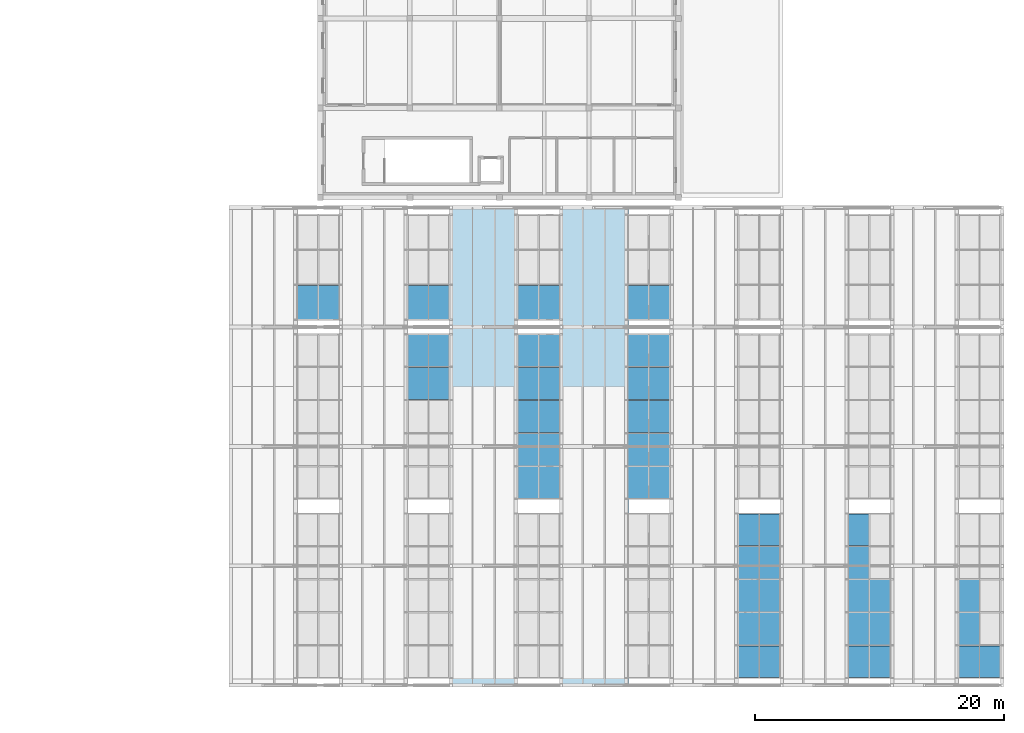
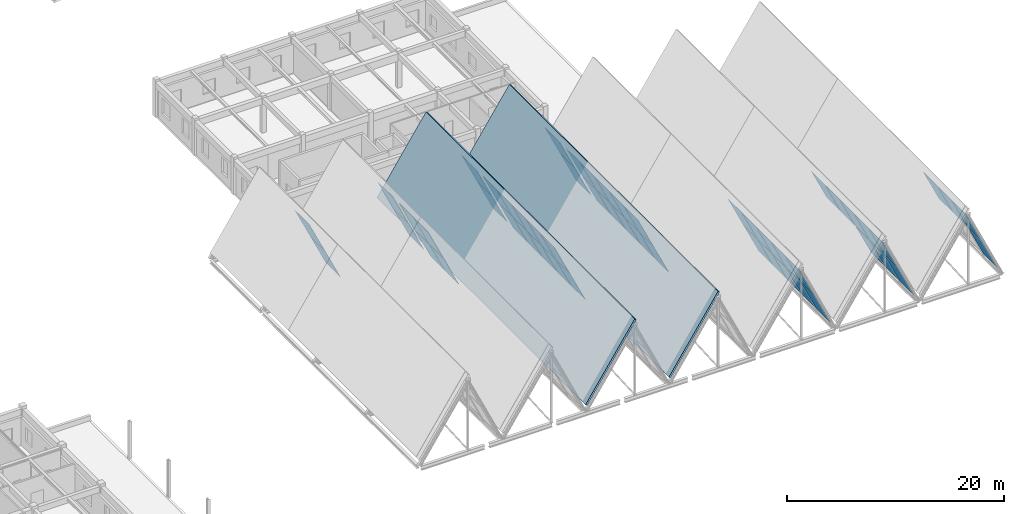
# One storey, part 70 of 99: 54 plates, 2 slabs, 10 elements without a shape of their own.
"""IFC4 building model written with IfcOpenShell, lengths in metres."""

from ifc_helpers import new_model, si_unit, direction, frame, origin, place, context, subcontext, project, spatial, polyline, outline, extrude, material, layer, layer_set, type_object, element, aggregate, save


model = new_model("IFC4")

# Units and contexts
model_context = context("Model", 3, precision=1e-05, world=origin(), true_north=direction((0.0, 1.0)))
body_context = subcontext(model_context, "Body", "Model", "MODEL_VIEW")
ifc_project = project(units=[si_unit("LENGTHUNIT", "METRE"), si_unit("AREAUNIT", "SQUARE_METRE"), si_unit("VOLUMEUNIT", "CUBIC_METRE"), si_unit("PLANEANGLEUNIT", "RADIAN"), si_unit("MASSUNIT", "GRAM", prefix="KILO")], contexts=[model_context])

# Site, building, storey
site_placement = place(None, origin())
site = spatial("IfcSite", under=ifc_project, at=site_placement, CompositionType="ELEMENT")
building_placement = place(site_placement, origin())
building = spatial("IfcBuilding", under=site, at=building_placement, Name="Bramveld Media Centre", CompositionType="ELEMENT")
storey_placement = place(building_placement, frame((0.0, 0.0, 13.800048828125)))
storey = spatial("IfcBuildingStorey", under=building, at=storey_placement, Name="L03", CompositionType="ELEMENT", Elevation=13.800048828125)

# Curtain wall, plates
ifc_material_1 = material(Name="Thermally broken anodized bronze aluminium unitized curtain wall with solar-control triple glazing", Category="aluminium")
curtain_wall_type_1 = type_object("IfcCurtainWallType", Name="CW-SAW-8500x8606", PredefinedType="NOTDEFINED", material=ifc_material_1)
curtain_wall_1_placement = place(storey_placement, origin())
curtain_wall_1 = element("IfcCurtainWall", 1, at=curtain_wall_1_placement, inside=storey, type_object=curtain_wall_type_1, Name="V1 sawtooth north-light clerestory B1-S3", PredefinedType="NOTDEFINED")
ifc_material_2 = material(Name="Solar-control triple insulating safety glass unit", Category="glass")
ifc_layer_1 = layer(ifc_material_2, 0.028076171875)
ifc_layer_set_1 = layer_set([ifc_layer_1], Name="Solar-control triple insulating safety glass unit")
plate_type = type_object("IfcPlateType", Name="CW-PAN-SLP", PredefinedType="CURTAIN_PANEL", material=ifc_layer_set_1)
plate_1_placement = place(storey_placement, frame((132.69677734375, 29.419921875, 0.322509765625), z_axis=(0.9056675867, 0.0, 0.423988469657), x_axis=(0.0, 1.0, 0.0)))
plate_1 = element("IfcPlate", 2, at=plate_1_placement, type_object=plate_type, Name="CW-SA-8586 glass panel 1.1", PredefinedType="CURTAIN_PANEL", context=body_context, shape_type="SweptSolid", body=[
    extrude(outline(polyline([(0.0, 0.0), (2.728271484375, 0.0), (2.728271484375, 3.8764136412276113), (0.0, 3.8764136412276113), (0.0, 0.0)])), origin(), (0.0, 0.0, -1.0), 0.028076171875),
])
plate_2_placement = place(storey_placement, frame((131.023681640625, 29.419921875, 3.896728515625), z_axis=(0.9056675867, 0.0, 0.423988469657), x_axis=(0.0, 1.0, 0.0)))
plate_2 = element("IfcPlate", 3, at=plate_2_placement, type_object=plate_type, Name="CW-SA-8586 glass panel 1.2", PredefinedType="CURTAIN_PANEL", context=body_context, shape_type="SweptSolid", body=[
    extrude(outline(polyline([(0.0, 0.0), (2.728271484375, 0.0), (2.728271484375, 3.8764136412276113), (0.0, 3.8764136412276113), (0.0, 0.0)])), origin(), (0.0, 0.0, -1.0), 0.028076171875),
])
aggregate(curtain_wall_1, [plate_1, plate_2])

ifc_material_3 = material(Name="Thermally broken anodized bronze aluminium unitized curtain wall with solar-control triple glazing", Category="aluminium")
curtain_wall_type_2 = type_object("IfcCurtainWallType", Name="CW-SAW-13300x8606", PredefinedType="NOTDEFINED", material=ifc_material_3)
curtain_wall_2_placement = place(storey_placement, origin())
curtain_wall_2 = element("IfcCurtainWall", 4, at=curtain_wall_2_placement, inside=storey, type_object=curtain_wall_type_2, Name="V1 sawtooth north-light clerestory B2-S2", PredefinedType="NOTDEFINED")
plate_3_placement = place(storey_placement, frame((141.553955078125, 22.965087890625, 0.322509765625), z_axis=(0.9056675867, 0.0, 0.423988469657), x_axis=(0.0, 1.0, 0.0)))
plate_3 = element("IfcPlate", 5, at=plate_3_placement, type_object=plate_type, Name="CW-SA-13386 glass panel 4.1", PredefinedType="CURTAIN_PANEL", context=body_context, shape_type="SweptSolid", body=[
    extrude(outline(polyline([(0.0, 0.0), (2.58984375, 0.0), (2.58984375, 3.876413641227611), (0.0, 3.876413641227611), (0.0, 0.0)])), origin(), (0.0, 0.0, -1.0), 0.028076171875),
])
plate_4_placement = place(storey_placement, frame((139.880859375, 22.965087890625, 3.896728515625), z_axis=(0.9056675867, 0.0, 0.423988469657), x_axis=(0.0, 1.0, 0.0)))
plate_4 = element("IfcPlate", 6, at=plate_4_placement, type_object=plate_type, Name="CW-SA-13386 glass panel 4.2", PredefinedType="CURTAIN_PANEL", context=body_context, shape_type="SweptSolid", body=[
    extrude(outline(polyline([(0.0, 0.0), (2.58984375, 0.0), (2.58984375, 3.876413641227611), (0.0, 3.876413641227611), (0.0, 0.0)])), origin(), (0.0, 0.0, -1.0), 0.028076171875),
])
plate_5_placement = place(storey_placement, frame((141.553955078125, 25.625, 0.322509765625), z_axis=(0.9056675867, 0.0, 0.423988469657), x_axis=(0.0, 1.0, 0.0)))
plate_5 = element("IfcPlate", 7, at=plate_5_placement, type_object=plate_type, Name="CW-SA-13386 glass panel 5.1", PredefinedType="CURTAIN_PANEL", context=body_context, shape_type="SweptSolid", body=[
    extrude(outline(polyline([(0.0, 0.0), (2.554931640625, 0.0), (2.554931640625, 3.8764136412276113), (0.0, 3.8764136412276113), (0.0, 0.0)])), origin(), (0.0, 0.0, -1.0), 0.028076171875),
])
plate_6_placement = place(storey_placement, frame((139.880859375, 25.625, 3.896728515625), z_axis=(0.9056675867, 0.0, 0.423988469657), x_axis=(0.0, 1.0, 0.0)))
plate_6 = element("IfcPlate", 8, at=plate_6_placement, type_object=plate_type, Name="CW-SA-13386 glass panel 5.2", PredefinedType="CURTAIN_PANEL", context=body_context, shape_type="SweptSolid", body=[
    extrude(outline(polyline([(0.0, 0.0), (2.554931640625, 0.0), (2.554931640625, 3.8764136412276113), (0.0, 3.8764136412276113), (0.0, 0.0)])), origin(), (0.0, 0.0, -1.0), 0.028076171875),
])
aggregate(curtain_wall_2, [plate_3, plate_4, plate_5, plate_6])

curtain_wall_3_placement = place(storey_placement, origin())
curtain_wall_3 = element("IfcCurtainWall", 9, at=curtain_wall_3_placement, inside=storey, type_object=curtain_wall_type_1, Name="V1 sawtooth north-light clerestory B2-S3", PredefinedType="NOTDEFINED")
plate_7_placement = place(storey_placement, frame((141.553955078125, 29.419921875, 0.322509765625), z_axis=(0.9056675867, 0.0, 0.423988469657), x_axis=(0.0, 1.0, 0.0)))
plate_7 = element("IfcPlate", 10, at=plate_7_placement, type_object=plate_type, Name="CW-SA-8586 glass panel 1.1", PredefinedType="CURTAIN_PANEL", context=body_context, shape_type="SweptSolid", body=[
    extrude(outline(polyline([(0.0, 0.0), (2.728271484375, 0.0), (2.728271484375, 3.8764136412276113), (0.0, 3.8764136412276113), (0.0, 0.0)])), origin(), (0.0, 0.0, -1.0), 0.028076171875),
])
plate_8_placement = place(storey_placement, frame((139.880859375, 29.419921875, 3.896728515625), z_axis=(0.9056675867, 0.0, 0.423988469657), x_axis=(0.0, 1.0, 0.0)))
plate_8 = element("IfcPlate", 11, at=plate_8_placement, type_object=plate_type, Name="CW-SA-8586 glass panel 1.2", PredefinedType="CURTAIN_PANEL", context=body_context, shape_type="SweptSolid", body=[
    extrude(outline(polyline([(0.0, 0.0), (2.728271484375, 0.0), (2.728271484375, 3.8764136412276113), (0.0, 3.8764136412276113), (0.0, 0.0)])), origin(), (0.0, 0.0, -1.0), 0.028076171875),
])
aggregate(curtain_wall_3, [plate_7, plate_8])

curtain_wall_4_placement = place(storey_placement, origin())
curtain_wall_4 = element("IfcCurtainWall", 12, at=curtain_wall_4_placement, inside=storey, type_object=curtain_wall_type_2, Name="V1 sawtooth north-light clerestory B3-S2", PredefinedType="NOTDEFINED")
plate_9_placement = place(storey_placement, frame((150.4111328125, 15.02001953125, 0.322509765625), z_axis=(0.9056675867, 0.0, 0.423988469657), x_axis=(0.0, 1.0, 0.0)))
plate_9 = element("IfcPlate", 13, at=plate_9_placement, type_object=plate_type, Name="CW-SA-13386 glass panel 1.1", PredefinedType="CURTAIN_PANEL", context=body_context, shape_type="SweptSolid", body=[
    extrude(outline(polyline([(0.0, 0.0), (2.554931640625, 0.0), (2.554931640625, 3.8764136412276113), (0.0, 3.8764136412276113), (0.0, 0.0)])), origin(), (0.0, 0.0, -1.0), 0.028076171875),
])
plate_10_placement = place(storey_placement, frame((148.738037109375, 15.02001953125, 3.896728515625), z_axis=(0.9056675867, 0.0, 0.423988469657), x_axis=(0.0, 1.0, 0.0)))
plate_10 = element("IfcPlate", 14, at=plate_10_placement, type_object=plate_type, Name="CW-SA-13386 glass panel 1.2", PredefinedType="CURTAIN_PANEL", context=body_context, shape_type="SweptSolid", body=[
    extrude(outline(polyline([(0.0, 0.0), (2.554931640625, 0.0), (2.554931640625, 3.8764136412276113), (0.0, 3.8764136412276113), (0.0, 0.0)])), origin(), (0.0, 0.0, -1.0), 0.028076171875),
])
plate_11_placement = place(storey_placement, frame((150.4111328125, 17.64501953125, 0.322509765625), z_axis=(0.9056675867, 0.0, 0.423988469657), x_axis=(0.0, 1.0, 0.0)))
plate_11 = element("IfcPlate", 15, at=plate_11_placement, type_object=plate_type, Name="CW-SA-13386 glass panel 2.1", PredefinedType="CURTAIN_PANEL", context=body_context, shape_type="SweptSolid", body=[
    extrude(outline(polyline([(0.0, 0.0), (2.590087890625, 0.0), (2.590087890625, 3.876413641227611), (0.0, 3.876413641227611), (0.0, 0.0)])), origin(), (0.0, 0.0, -1.0), 0.028076171875),
])
plate_12_placement = place(storey_placement, frame((148.738037109375, 17.64501953125, 3.896728515625), z_axis=(0.9056675867, 0.0, 0.423988469657), x_axis=(0.0, 1.0, 0.0)))
plate_12 = element("IfcPlate", 16, at=plate_12_placement, type_object=plate_type, Name="CW-SA-13386 glass panel 2.2", PredefinedType="CURTAIN_PANEL", context=body_context, shape_type="SweptSolid", body=[
    extrude(outline(polyline([(0.0, 0.0), (2.590087890625, 0.0), (2.590087890625, 3.876413641227611), (0.0, 3.876413641227611), (0.0, 0.0)])), origin(), (0.0, 0.0, -1.0), 0.028076171875),
])
plate_13_placement = place(storey_placement, frame((150.4111328125, 20.304931640625, 0.322509765625), z_axis=(0.9056675867, 0.0, 0.423988469657), x_axis=(0.0, 1.0, 0.0)))
plate_13 = element("IfcPlate", 17, at=plate_13_placement, type_object=plate_type, Name="CW-SA-13386 glass panel 3.1", PredefinedType="CURTAIN_PANEL", context=body_context, shape_type="SweptSolid", body=[
    extrude(outline(polyline([(0.0, 0.0), (2.590087890625, 0.0), (2.590087890625, 3.876413641227611), (0.0, 3.876413641227611), (0.0, 0.0)])), origin(), (0.0, 0.0, -1.0), 0.028076171875),
])
plate_14_placement = place(storey_placement, frame((148.738037109375, 20.304931640625, 3.896728515625), z_axis=(0.9056675867, 0.0, 0.423988469657), x_axis=(0.0, 1.0, 0.0)))
plate_14 = element("IfcPlate", 18, at=plate_14_placement, type_object=plate_type, Name="CW-SA-13386 glass panel 3.2", PredefinedType="CURTAIN_PANEL", context=body_context, shape_type="SweptSolid", body=[
    extrude(outline(polyline([(0.0, 0.0), (2.590087890625, 0.0), (2.590087890625, 3.876413641227611), (0.0, 3.876413641227611), (0.0, 0.0)])), origin(), (0.0, 0.0, -1.0), 0.028076171875),
])
plate_15_placement = place(storey_placement, frame((150.4111328125, 22.965087890625, 0.322509765625), z_axis=(0.9056675867, 0.0, 0.423988469657), x_axis=(0.0, 1.0, 0.0)))
plate_15 = element("IfcPlate", 19, at=plate_15_placement, type_object=plate_type, Name="CW-SA-13386 glass panel 4.1", PredefinedType="CURTAIN_PANEL", context=body_context, shape_type="SweptSolid", body=[
    extrude(outline(polyline([(0.0, 0.0), (2.58984375, 0.0), (2.58984375, 3.876413641227611), (0.0, 3.876413641227611), (0.0, 0.0)])), origin(), (0.0, 0.0, -1.0), 0.028076171875),
])
plate_16_placement = place(storey_placement, frame((148.738037109375, 22.965087890625, 3.896728515625), z_axis=(0.9056675867, 0.0, 0.423988469657), x_axis=(0.0, 1.0, 0.0)))
plate_16 = element("IfcPlate", 20, at=plate_16_placement, type_object=plate_type, Name="CW-SA-13386 glass panel 4.2", PredefinedType="CURTAIN_PANEL", context=body_context, shape_type="SweptSolid", body=[
    extrude(outline(polyline([(0.0, 0.0), (2.58984375, 0.0), (2.58984375, 3.876413641227611), (0.0, 3.876413641227611), (0.0, 0.0)])), origin(), (0.0, 0.0, -1.0), 0.028076171875),
])
plate_17_placement = place(storey_placement, frame((150.4111328125, 25.625, 0.322509765625), z_axis=(0.9056675867, 0.0, 0.423988469657), x_axis=(0.0, 1.0, 0.0)))
plate_17 = element("IfcPlate", 21, at=plate_17_placement, type_object=plate_type, Name="CW-SA-13386 glass panel 5.1", PredefinedType="CURTAIN_PANEL", context=body_context, shape_type="SweptSolid", body=[
    extrude(outline(polyline([(0.0, 0.0), (2.554931640625, 0.0), (2.554931640625, 3.8764136412276113), (0.0, 3.8764136412276113), (0.0, 0.0)])), origin(), (0.0, 0.0, -1.0), 0.028076171875),
])
plate_18_placement = place(storey_placement, frame((148.738037109375, 25.625, 3.896728515625), z_axis=(0.9056675867, 0.0, 0.423988469657), x_axis=(0.0, 1.0, 0.0)))
plate_18 = element("IfcPlate", 22, at=plate_18_placement, type_object=plate_type, Name="CW-SA-13386 glass panel 5.2", PredefinedType="CURTAIN_PANEL", context=body_context, shape_type="SweptSolid", body=[
    extrude(outline(polyline([(0.0, 0.0), (2.554931640625, 0.0), (2.554931640625, 3.8764136412276113), (0.0, 3.8764136412276113), (0.0, 0.0)])), origin(), (0.0, 0.0, -1.0), 0.028076171875),
])
aggregate(curtain_wall_4, [plate_9, plate_10, plate_11, plate_12, plate_13, plate_14, plate_15, plate_16, plate_17, plate_18])

curtain_wall_5_placement = place(storey_placement, origin())
curtain_wall_5 = element("IfcCurtainWall", 23, at=curtain_wall_5_placement, inside=storey, type_object=curtain_wall_type_1, Name="V1 sawtooth north-light clerestory B3-S3", PredefinedType="NOTDEFINED")
plate_19_placement = place(storey_placement, frame((150.4111328125, 29.419921875, 0.322509765625), z_axis=(0.9056675867, 0.0, 0.423988469657), x_axis=(0.0, 1.0, 0.0)))
plate_19 = element("IfcPlate", 24, at=plate_19_placement, type_object=plate_type, Name="CW-SA-8586 glass panel 1.1", PredefinedType="CURTAIN_PANEL", context=body_context, shape_type="SweptSolid", body=[
    extrude(outline(polyline([(0.0, 0.0), (2.728271484375, 0.0), (2.728271484375, 3.8764136412276113), (0.0, 3.8764136412276113), (0.0, 0.0)])), origin(), (0.0, 0.0, -1.0), 0.028076171875),
])
plate_20_placement = place(storey_placement, frame((148.738037109375, 29.419921875, 3.896728515625), z_axis=(0.9056675867, 0.0, 0.423988469657), x_axis=(0.0, 1.0, 0.0)))
plate_20 = element("IfcPlate", 25, at=plate_20_placement, type_object=plate_type, Name="CW-SA-8586 glass panel 1.2", PredefinedType="CURTAIN_PANEL", context=body_context, shape_type="SweptSolid", body=[
    extrude(outline(polyline([(0.0, 0.0), (2.728271484375, 0.0), (2.728271484375, 3.8764136412276113), (0.0, 3.8764136412276113), (0.0, 0.0)])), origin(), (0.0, 0.0, -1.0), 0.028076171875),
])
aggregate(curtain_wall_5, [plate_19, plate_20])

curtain_wall_6_placement = place(storey_placement, origin())
curtain_wall_6 = element("IfcCurtainWall", 26, at=curtain_wall_6_placement, inside=storey, type_object=curtain_wall_type_2, Name="V1 sawtooth north-light clerestory B4-S2", PredefinedType="NOTDEFINED")
plate_21_placement = place(storey_placement, frame((159.268310546875, 15.02001953125, 0.322509765625), z_axis=(0.9056675867, 0.0, 0.423988469657), x_axis=(0.0, 1.0, 0.0)))
plate_21 = element("IfcPlate", 27, at=plate_21_placement, type_object=plate_type, Name="CW-SA-13386 glass panel 1.1", PredefinedType="CURTAIN_PANEL", context=body_context, shape_type="SweptSolid", body=[
    extrude(outline(polyline([(0.0, 0.0), (2.554931640625, 0.0), (2.554931640625, 3.8764136412276113), (0.0, 3.8764136412276113), (0.0, 0.0)])), origin(), (0.0, 0.0, -1.0), 0.028076171875),
])
plate_22_placement = place(storey_placement, frame((157.59521484375, 15.02001953125, 3.896728515625), z_axis=(0.9056675867, 0.0, 0.423988469657), x_axis=(0.0, 1.0, 0.0)))
plate_22 = element("IfcPlate", 28, at=plate_22_placement, type_object=plate_type, Name="CW-SA-13386 glass panel 1.2", PredefinedType="CURTAIN_PANEL", context=body_context, shape_type="SweptSolid", body=[
    extrude(outline(polyline([(0.0, 0.0), (2.554931640625, 0.0), (2.554931640625, 3.8764136412276113), (0.0, 3.8764136412276113), (0.0, 0.0)])), origin(), (0.0, 0.0, -1.0), 0.028076171875),
])
plate_23_placement = place(storey_placement, frame((159.268310546875, 17.64501953125, 0.322509765625), z_axis=(0.9056675867, 0.0, 0.423988469657), x_axis=(0.0, 1.0, 0.0)))
plate_23 = element("IfcPlate", 29, at=plate_23_placement, type_object=plate_type, Name="CW-SA-13386 glass panel 2.1", PredefinedType="CURTAIN_PANEL", context=body_context, shape_type="SweptSolid", body=[
    extrude(outline(polyline([(0.0, 0.0), (2.590087890625, 0.0), (2.590087890625, 3.876413641227611), (0.0, 3.876413641227611), (0.0, 0.0)])), origin(), (0.0, 0.0, -1.0), 0.028076171875),
])
plate_24_placement = place(storey_placement, frame((157.59521484375, 17.64501953125, 3.896728515625), z_axis=(0.9056675867, 0.0, 0.423988469657), x_axis=(0.0, 1.0, 0.0)))
plate_24 = element("IfcPlate", 30, at=plate_24_placement, type_object=plate_type, Name="CW-SA-13386 glass panel 2.2", PredefinedType="CURTAIN_PANEL", context=body_context, shape_type="SweptSolid", body=[
    extrude(outline(polyline([(0.0, 0.0), (2.590087890625, 0.0), (2.590087890625, 3.876413641227611), (0.0, 3.876413641227611), (0.0, 0.0)])), origin(), (0.0, 0.0, -1.0), 0.028076171875),
])
plate_25_placement = place(storey_placement, frame((159.268310546875, 20.304931640625, 0.322509765625), z_axis=(0.9056675867, 0.0, 0.423988469657), x_axis=(0.0, 1.0, 0.0)))
plate_25 = element("IfcPlate", 31, at=plate_25_placement, type_object=plate_type, Name="CW-SA-13386 glass panel 3.1", PredefinedType="CURTAIN_PANEL", context=body_context, shape_type="SweptSolid", body=[
    extrude(outline(polyline([(0.0, 0.0), (2.590087890625, 0.0), (2.590087890625, 3.876413641227611), (0.0, 3.876413641227611), (0.0, 0.0)])), origin(), (0.0, 0.0, -1.0), 0.028076171875),
])
plate_26_placement = place(storey_placement, frame((157.59521484375, 20.304931640625, 3.896728515625), z_axis=(0.9056675867, 0.0, 0.423988469657), x_axis=(0.0, 1.0, 0.0)))
plate_26 = element("IfcPlate", 32, at=plate_26_placement, type_object=plate_type, Name="CW-SA-13386 glass panel 3.2", PredefinedType="CURTAIN_PANEL", context=body_context, shape_type="SweptSolid", body=[
    extrude(outline(polyline([(0.0, 0.0), (2.590087890625, 0.0), (2.590087890625, 3.876413641227611), (0.0, 3.876413641227611), (0.0, 0.0)])), origin(), (0.0, 0.0, -1.0), 0.028076171875),
])
plate_27_placement = place(storey_placement, frame((159.268310546875, 22.965087890625, 0.322509765625), z_axis=(0.9056675867, 0.0, 0.423988469657), x_axis=(0.0, 1.0, 0.0)))
plate_27 = element("IfcPlate", 33, at=plate_27_placement, type_object=plate_type, Name="CW-SA-13386 glass panel 4.1", PredefinedType="CURTAIN_PANEL", context=body_context, shape_type="SweptSolid", body=[
    extrude(outline(polyline([(0.0, 0.0), (2.58984375, 0.0), (2.58984375, 3.876413641227611), (0.0, 3.876413641227611), (0.0, 0.0)])), origin(), (0.0, 0.0, -1.0), 0.028076171875),
])
plate_28_placement = place(storey_placement, frame((157.59521484375, 22.965087890625, 3.896728515625), z_axis=(0.9056675867, 0.0, 0.423988469657), x_axis=(0.0, 1.0, 0.0)))
plate_28 = element("IfcPlate", 34, at=plate_28_placement, type_object=plate_type, Name="CW-SA-13386 glass panel 4.2", PredefinedType="CURTAIN_PANEL", context=body_context, shape_type="SweptSolid", body=[
    extrude(outline(polyline([(0.0, 0.0), (2.58984375, 0.0), (2.58984375, 3.876413641227611), (0.0, 3.876413641227611), (0.0, 0.0)])), origin(), (0.0, 0.0, -1.0), 0.028076171875),
])
plate_29_placement = place(storey_placement, frame((159.268310546875, 25.625, 0.322509765625), z_axis=(0.9056675867, 0.0, 0.423988469657), x_axis=(0.0, 1.0, 0.0)))
plate_29 = element("IfcPlate", 35, at=plate_29_placement, type_object=plate_type, Name="CW-SA-13386 glass panel 5.1", PredefinedType="CURTAIN_PANEL", context=body_context, shape_type="SweptSolid", body=[
    extrude(outline(polyline([(0.0, 0.0), (2.554931640625, 0.0), (2.554931640625, 3.8764136412276113), (0.0, 3.8764136412276113), (0.0, 0.0)])), origin(), (0.0, 0.0, -1.0), 0.028076171875),
])
plate_30_placement = place(storey_placement, frame((157.59521484375, 25.625, 3.896728515625), z_axis=(0.9056675867, 0.0, 0.423988469657), x_axis=(0.0, 1.0, 0.0)))
plate_30 = element("IfcPlate", 36, at=plate_30_placement, type_object=plate_type, Name="CW-SA-13386 glass panel 5.2", PredefinedType="CURTAIN_PANEL", context=body_context, shape_type="SweptSolid", body=[
    extrude(outline(polyline([(0.0, 0.0), (2.554931640625, 0.0), (2.554931640625, 3.8764136412276113), (0.0, 3.8764136412276113), (0.0, 0.0)])), origin(), (0.0, 0.0, -1.0), 0.028076171875),
])
aggregate(curtain_wall_6, [plate_21, plate_22, plate_23, plate_24, plate_25, plate_26, plate_27, plate_28, plate_29, plate_30])

curtain_wall_7_placement = place(storey_placement, origin())
curtain_wall_7 = element("IfcCurtainWall", 37, at=curtain_wall_7_placement, inside=storey, type_object=curtain_wall_type_1, Name="V1 sawtooth north-light clerestory B4-S3", PredefinedType="NOTDEFINED")
plate_31_placement = place(storey_placement, frame((159.268310546875, 29.419921875, 0.322509765625), z_axis=(0.9056675867, 0.0, 0.423988469657), x_axis=(0.0, 1.0, 0.0)))
plate_31 = element("IfcPlate", 38, at=plate_31_placement, type_object=plate_type, Name="CW-SA-8586 glass panel 1.1", PredefinedType="CURTAIN_PANEL", context=body_context, shape_type="SweptSolid", body=[
    extrude(outline(polyline([(0.0, 0.0), (2.728271484375, 0.0), (2.728271484375, 3.8764136412276113), (0.0, 3.8764136412276113), (0.0, 0.0)])), origin(), (0.0, 0.0, -1.0), 0.028076171875),
])
plate_32_placement = place(storey_placement, frame((157.59521484375, 29.419921875, 3.896728515625), z_axis=(0.9056675867, 0.0, 0.423988469657), x_axis=(0.0, 1.0, 0.0)))
plate_32 = element("IfcPlate", 39, at=plate_32_placement, type_object=plate_type, Name="CW-SA-8586 glass panel 1.2", PredefinedType="CURTAIN_PANEL", context=body_context, shape_type="SweptSolid", body=[
    extrude(outline(polyline([(0.0, 0.0), (2.728271484375, 0.0), (2.728271484375, 3.8764136412276113), (0.0, 3.8764136412276113), (0.0, 0.0)])), origin(), (0.0, 0.0, -1.0), 0.028076171875),
])
aggregate(curtain_wall_7, [plate_31, plate_32])

curtain_wall_8_placement = place(storey_placement, origin())
curtain_wall_8 = element("IfcCurtainWall", 40, at=curtain_wall_8_placement, inside=storey, type_object=curtain_wall_type_2, Name="V1 sawtooth north-light clerestory B5-S1", PredefinedType="NOTDEFINED")
plate_33_placement = place(storey_placement, frame((168.12548828125, 0.6201171875, 0.322509765625), z_axis=(0.9056675867, 0.0, 0.423988469657), x_axis=(0.0, 1.0, 0.0)))
plate_33 = element("IfcPlate", 41, at=plate_33_placement, type_object=plate_type, Name="CW-SA-13386 glass panel 1.1", PredefinedType="CURTAIN_PANEL", context=body_context, shape_type="SweptSolid", body=[
    extrude(outline(polyline([(0.0, 0.0), (2.554931640625, 0.0), (2.554931640625, 3.8764136412276113), (0.0, 3.8764136412276113), (0.0, 0.0)])), origin(), (0.0, 0.0, -1.0), 0.028076171875),
])
plate_34_placement = place(storey_placement, frame((166.452392578125, 0.6201171875, 3.896728515625), z_axis=(0.9056675867, 0.0, 0.423988469657), x_axis=(0.0, 1.0, 0.0)))
plate_34 = element("IfcPlate", 42, at=plate_34_placement, type_object=plate_type, Name="CW-SA-13386 glass panel 1.2", PredefinedType="CURTAIN_PANEL", context=body_context, shape_type="SweptSolid", body=[
    extrude(outline(polyline([(0.0, 0.0), (2.554931640625, 0.0), (2.554931640625, 3.8764136412276113), (0.0, 3.8764136412276113), (0.0, 0.0)])), origin(), (0.0, 0.0, -1.0), 0.028076171875),
])
plate_35_placement = place(storey_placement, frame((168.12548828125, 3.2451171875, 0.322509765625), z_axis=(0.9056675867, 0.0, 0.423988469657), x_axis=(0.0, 1.0, 0.0)))
plate_35 = element("IfcPlate", 43, at=plate_35_placement, type_object=plate_type, Name="CW-SA-13386 glass panel 2.1", PredefinedType="CURTAIN_PANEL", context=body_context, shape_type="SweptSolid", body=[
    extrude(outline(polyline([(0.0, 0.0), (2.58984375, 0.0), (2.58984375, 3.876413641227611), (0.0, 3.876413641227611), (0.0, 0.0)])), origin(), (0.0, 0.0, -1.0), 0.028076171875),
])
plate_36_placement = place(storey_placement, frame((166.452392578125, 3.2451171875, 3.896728515625), z_axis=(0.9056675867, 0.0, 0.423988469657), x_axis=(0.0, 1.0, 0.0)))
plate_36 = element("IfcPlate", 44, at=plate_36_placement, type_object=plate_type, Name="CW-SA-13386 glass panel 2.2", PredefinedType="CURTAIN_PANEL", context=body_context, shape_type="SweptSolid", body=[
    extrude(outline(polyline([(0.0, 0.0), (2.58984375, 0.0), (2.58984375, 3.876413641227611), (0.0, 3.876413641227611), (0.0, 0.0)])), origin(), (0.0, 0.0, -1.0), 0.028076171875),
])
plate_37_placement = place(storey_placement, frame((168.12548828125, 5.905029296875, 0.322509765625), z_axis=(0.9056675867, 0.0, 0.423988469657), x_axis=(0.0, 1.0, 0.0)))
plate_37 = element("IfcPlate", 45, at=plate_37_placement, type_object=plate_type, Name="CW-SA-13386 glass panel 3.1", PredefinedType="CURTAIN_PANEL", context=body_context, shape_type="SweptSolid", body=[
    extrude(outline(polyline([(0.0, 0.0), (2.590087890625, 0.0), (2.590087890625, 3.876413641227611), (0.0, 3.876413641227611), (0.0, 0.0)])), origin(), (0.0, 0.0, -1.0), 0.028076171875),
])
plate_38_placement = place(storey_placement, frame((166.452392578125, 5.905029296875, 3.896728515625), z_axis=(0.9056675867, 0.0, 0.423988469657), x_axis=(0.0, 1.0, 0.0)))
plate_38 = element("IfcPlate", 46, at=plate_38_placement, type_object=plate_type, Name="CW-SA-13386 glass panel 3.2", PredefinedType="CURTAIN_PANEL", context=body_context, shape_type="SweptSolid", body=[
    extrude(outline(polyline([(0.0, 0.0), (2.590087890625, 0.0), (2.590087890625, 3.876413641227611), (0.0, 3.876413641227611), (0.0, 0.0)])), origin(), (0.0, 0.0, -1.0), 0.028076171875),
])
plate_39_placement = place(storey_placement, frame((168.12548828125, 8.56494140625, 0.322509765625), z_axis=(0.9056675867, 0.0, 0.423988469657), x_axis=(0.0, 1.0, 0.0)))
plate_39 = element("IfcPlate", 47, at=plate_39_placement, type_object=plate_type, Name="CW-SA-13386 glass panel 4.1", PredefinedType="CURTAIN_PANEL", context=body_context, shape_type="SweptSolid", body=[
    extrude(outline(polyline([(0.0, 0.0), (2.590087890625, 0.0), (2.590087890625, 3.876413641227611), (0.0, 3.876413641227611), (0.0, 0.0)])), origin(), (0.0, 0.0, -1.0), 0.028076171875),
])
plate_40_placement = place(storey_placement, frame((166.452392578125, 8.56494140625, 3.896728515625), z_axis=(0.9056675867, 0.0, 0.423988469657), x_axis=(0.0, 1.0, 0.0)))
plate_40 = element("IfcPlate", 48, at=plate_40_placement, type_object=plate_type, Name="CW-SA-13386 glass panel 4.2", PredefinedType="CURTAIN_PANEL", context=body_context, shape_type="SweptSolid", body=[
    extrude(outline(polyline([(0.0, 0.0), (2.590087890625, 0.0), (2.590087890625, 3.876413641227611), (0.0, 3.876413641227611), (0.0, 0.0)])), origin(), (0.0, 0.0, -1.0), 0.028076171875),
])
plate_41_placement = place(storey_placement, frame((168.12548828125, 11.22509765625, 0.322509765625), z_axis=(0.9056675867, 0.0, 0.423988469657), x_axis=(0.0, 1.0, 0.0)))
plate_41 = element("IfcPlate", 49, at=plate_41_placement, type_object=plate_type, Name="CW-SA-13386 glass panel 5.1", PredefinedType="CURTAIN_PANEL", context=body_context, shape_type="SweptSolid", body=[
    extrude(outline(polyline([(0.0, 0.0), (2.554931640625, 0.0), (2.554931640625, 3.8764136412276113), (0.0, 3.8764136412276113), (0.0, 0.0)])), origin(), (0.0, 0.0, -1.0), 0.028076171875),
])
plate_42_placement = place(storey_placement, frame((166.452392578125, 11.22509765625, 3.896728515625), z_axis=(0.9056675867, 0.0, 0.423988469657), x_axis=(0.0, 1.0, 0.0)))
plate_42 = element("IfcPlate", 50, at=plate_42_placement, type_object=plate_type, Name="CW-SA-13386 glass panel 5.2", PredefinedType="CURTAIN_PANEL", context=body_context, shape_type="SweptSolid", body=[
    extrude(outline(polyline([(0.0, 0.0), (2.554931640625, 0.0), (2.554931640625, 3.8764136412276113), (0.0, 3.8764136412276113), (0.0, 0.0)])), origin(), (0.0, 0.0, -1.0), 0.028076171875),
])
aggregate(curtain_wall_8, [plate_33, plate_34, plate_35, plate_36, plate_37, plate_38, plate_39, plate_40, plate_41, plate_42])

curtain_wall_9_placement = place(storey_placement, origin())
curtain_wall_9 = element("IfcCurtainWall", 51, at=curtain_wall_9_placement, inside=storey, type_object=curtain_wall_type_2, Name="V1 sawtooth north-light clerestory B6-S1", PredefinedType="NOTDEFINED")
plate_43_placement = place(storey_placement, frame((176.982666015625, 0.6201171875, 0.322509765625), z_axis=(0.9056675867, 0.0, 0.423988469657), x_axis=(0.0, 1.0, 0.0)))
plate_43 = element("IfcPlate", 52, at=plate_43_placement, type_object=plate_type, Name="CW-SA-13386 glass panel 1.1", PredefinedType="CURTAIN_PANEL", context=body_context, shape_type="SweptSolid", body=[
    extrude(outline(polyline([(0.0, 0.0), (2.554931640625, 0.0), (2.554931640625, 3.8764136412276113), (0.0, 3.8764136412276113), (0.0, 0.0)])), origin(), (0.0, 0.0, -1.0), 0.028076171875),
])
plate_44_placement = place(storey_placement, frame((175.309326171875, 0.6201171875, 3.896728515625), z_axis=(0.905691770132, 0.0, 0.423936808398), x_axis=(0.0, 1.0, 0.0)))
plate_44 = element("IfcPlate", 53, at=plate_44_placement, type_object=plate_type, Name="CW-SA-13386 glass panel 1.2", PredefinedType="CURTAIN_PANEL", context=body_context, shape_type="SweptSolid", body=[
    extrude(outline(polyline([(0.0, 0.0), (2.554931640625, 0.0), (2.554931640625, 3.876310134723858), (0.0, 3.876310134723858), (0.0, 0.0)])), origin(), (0.0, 0.0, -1.0), 0.028076171875),
])
plate_45_placement = place(storey_placement, frame((176.982666015625, 3.2451171875, 0.322509765625), z_axis=(0.9056675867, 0.0, 0.423988469657), x_axis=(0.0, 1.0, 0.0)))
plate_45 = element("IfcPlate", 54, at=plate_45_placement, type_object=plate_type, Name="CW-SA-13386 glass panel 2.1", PredefinedType="CURTAIN_PANEL", context=body_context, shape_type="SweptSolid", body=[
    extrude(outline(polyline([(0.0, 0.0), (2.58984375, 0.0), (2.58984375, 3.876413641227611), (0.0, 3.876413641227611), (0.0, 0.0)])), origin(), (0.0, 0.0, -1.0), 0.028076171875),
])
plate_46_placement = place(storey_placement, frame((175.309326171875, 3.2451171875, 3.896728515625), z_axis=(0.905691770132, 0.0, 0.423936808398), x_axis=(0.0, 1.0, 0.0)))
plate_46 = element("IfcPlate", 55, at=plate_46_placement, type_object=plate_type, Name="CW-SA-13386 glass panel 2.2", PredefinedType="CURTAIN_PANEL", context=body_context, shape_type="SweptSolid", body=[
    extrude(outline(polyline([(0.0, 0.0), (2.58984375, 0.0), (2.58984375, 3.876310134723858), (0.0, 3.876310134723858), (0.0, 0.0)])), origin(), (0.0, 0.0, -1.0), 0.028076171875),
])
plate_47_placement = place(storey_placement, frame((176.982666015625, 5.905029296875, 0.322509765625), z_axis=(0.9056675867, 0.0, 0.423988469657), x_axis=(0.0, 1.0, 0.0)))
plate_47 = element("IfcPlate", 56, at=plate_47_placement, type_object=plate_type, Name="CW-SA-13386 glass panel 3.1", PredefinedType="CURTAIN_PANEL", context=body_context, shape_type="SweptSolid", body=[
    extrude(outline(polyline([(0.0, 0.0), (2.590087890625, 0.0), (2.590087890625, 3.876413641227611), (0.0, 3.876413641227611), (0.0, 0.0)])), origin(), (0.0, 0.0, -1.0), 0.028076171875),
])
plate_48_placement = place(storey_placement, frame((175.309326171875, 5.905029296875, 3.896728515625), z_axis=(0.905691770132, 0.0, 0.423936808398), x_axis=(0.0, 1.0, 0.0)))
plate_48 = element("IfcPlate", 57, at=plate_48_placement, type_object=plate_type, Name="CW-SA-13386 glass panel 3.2", PredefinedType="CURTAIN_PANEL", context=body_context, shape_type="SweptSolid", body=[
    extrude(outline(polyline([(0.0, 0.0), (2.590087890625, 0.0), (2.590087890625, 3.876310134723858), (0.0, 3.876310134723858), (0.0, 0.0)])), origin(), (0.0, 0.0, -1.0), 0.028076171875),
])
plate_49_placement = place(storey_placement, frame((175.309326171875, 8.56494140625, 3.896728515625), z_axis=(0.905691770132, 0.0, 0.423936808398), x_axis=(0.0, 1.0, 0.0)))
plate_49 = element("IfcPlate", 58, at=plate_49_placement, type_object=plate_type, Name="CW-SA-13386 glass panel 4.2", PredefinedType="CURTAIN_PANEL", context=body_context, shape_type="SweptSolid", body=[
    extrude(outline(polyline([(0.0, 0.0), (2.590087890625, 0.0), (2.590087890625, 3.876310134723858), (0.0, 3.876310134723858), (0.0, 0.0)])), origin(), (0.0, 0.0, -1.0), 0.028076171875),
])
plate_50_placement = place(storey_placement, frame((175.309326171875, 11.22509765625, 3.896728515625), z_axis=(0.905691770132, 0.0, 0.423936808398), x_axis=(0.0, 1.0, 0.0)))
plate_50 = element("IfcPlate", 59, at=plate_50_placement, type_object=plate_type, Name="CW-SA-13386 glass panel 5.2", PredefinedType="CURTAIN_PANEL", context=body_context, shape_type="SweptSolid", body=[
    extrude(outline(polyline([(0.0, 0.0), (2.554931640625, 0.0), (2.554931640625, 3.876310134723858), (0.0, 3.876310134723858), (0.0, 0.0)])), origin(), (0.0, 0.0, -1.0), 0.028076171875),
])
aggregate(curtain_wall_9, [plate_43, plate_44, plate_45, plate_46, plate_47, plate_48, plate_49, plate_50])

curtain_wall_10_placement = place(storey_placement, origin())
curtain_wall_10 = element("IfcCurtainWall", 60, at=curtain_wall_10_placement, inside=storey, type_object=curtain_wall_type_2, Name="V1 sawtooth north-light clerestory B7-S1", PredefinedType="NOTDEFINED")
plate_51_placement = place(storey_placement, frame((185.839599609375, 0.6201171875, 0.322509765625), z_axis=(0.905691770132, 0.0, 0.423936808398), x_axis=(0.0, 1.0, 0.0)))
plate_51 = element("IfcPlate", 61, at=plate_51_placement, type_object=plate_type, Name="CW-SA-13386 glass panel 1.1", PredefinedType="CURTAIN_PANEL", context=body_context, shape_type="SweptSolid", body=[
    extrude(outline(polyline([(0.0, 0.0), (2.554931640625, 0.0), (2.554931640625, 3.876310134723858), (0.0, 3.876310134723858), (0.0, 0.0)])), origin(), (0.0, 0.0, -1.0), 0.028076171875),
])
plate_52_placement = place(storey_placement, frame((184.16650390625, 0.6201171875, 3.896728515625), z_axis=(0.905691770132, 0.0, 0.423936808398), x_axis=(0.0, 1.0, 0.0)))
plate_52 = element("IfcPlate", 62, at=plate_52_placement, type_object=plate_type, Name="CW-SA-13386 glass panel 1.2", PredefinedType="CURTAIN_PANEL", context=body_context, shape_type="SweptSolid", body=[
    extrude(outline(polyline([(0.0, 0.0), (2.554931640625, 0.0), (2.554931640625, 3.876310134723858), (0.0, 3.876310134723858), (0.0, 0.0)])), origin(), (0.0, 0.0, -1.0), 0.028076171875),
])
plate_53_placement = place(storey_placement, frame((184.16650390625, 3.2451171875, 3.896728515625), z_axis=(0.905691770132, 0.0, 0.423936808398), x_axis=(0.0, 1.0, 0.0)))
plate_53 = element("IfcPlate", 63, at=plate_53_placement, type_object=plate_type, Name="CW-SA-13386 glass panel 2.2", PredefinedType="CURTAIN_PANEL", context=body_context, shape_type="SweptSolid", body=[
    extrude(outline(polyline([(0.0, 0.0), (2.58984375, 0.0), (2.58984375, 3.876310134723858), (0.0, 3.876310134723858), (0.0, 0.0)])), origin(), (0.0, 0.0, -1.0), 0.028076171875),
])
plate_54_placement = place(storey_placement, frame((184.16650390625, 5.905029296875, 3.896728515625), z_axis=(0.905691770132, 0.0, 0.423936808398), x_axis=(0.0, 1.0, 0.0)))
plate_54 = element("IfcPlate", 64, at=plate_54_placement, type_object=plate_type, Name="CW-SA-13386 glass panel 3.2", PredefinedType="CURTAIN_PANEL", context=body_context, shape_type="SweptSolid", body=[
    extrude(outline(polyline([(0.0, 0.0), (2.590087890625, 0.0), (2.590087890625, 3.876310134723858), (0.0, 3.876310134723858), (0.0, 0.0)])), origin(), (0.0, 0.0, -1.0), 0.028076171875),
])
aggregate(curtain_wall_10, [plate_51, plate_52, plate_53, plate_54])

# Slabs
ifc_material_4 = material(Name="Precast concrete C40/50", Category="concrete")
ifc_layer_2 = layer(ifc_material_4, 0.2099609375)
ifc_layer_set_2 = layer_set([ifc_layer_2], Name="Precast concrete C40/50")
slab_type = type_object("IfcSlabType", Name="ROOF-SLAB-210-01", PredefinedType="ROOF", material=ifc_layer_set_2)
slab_1_placement = place(storey_placement, frame((141.71435546875, 0.0, 0.6796875), z_axis=(-0.8310805524, 0.0, 0.55615206142), x_axis=(0.55615206142, 0.0, 0.8310805524)))
element("IfcSlab", 65, at=slab_1_placement, inside=storey, type_object=slab_type, Name="V1 sawtooth acoustic roof slab bay 3", PredefinedType="ROOF", context=body_context, shape_type="SweptSolid", body=[
    extrude(outline(polyline([(0.0, 0.0), (9.385430576611935, 0.0), (9.385430576611935, 38.39990234375), (0.0, 38.39990234375), (0.0, 0.0)])), origin(), (0.0, 0.0, -1.0), 0.2099609375),
])
slab_2_placement = place(storey_placement, frame((150.5712890625, 0.0, 0.6796875), z_axis=(-0.831068529112, 0.0, 0.556170027887), x_axis=(0.556170027887, 0.0, 0.831068529112)))
element("IfcSlab", 66, at=slab_2_placement, inside=storey, type_object=slab_type, Name="V1 sawtooth acoustic roof slab bay 4", PredefinedType="ROOF", context=body_context, shape_type="SweptSolid", body=[
    extrude(outline(polyline([(0.0, 0.0), (9.385566358116995, 0.0), (9.385566358116995, 38.39990234375), (0.0, 38.39990234375), (0.0, 0.0)])), origin(), (0.0, 0.0, -1.0), 0.2099609375),
])

save(model, "model.ifc")
